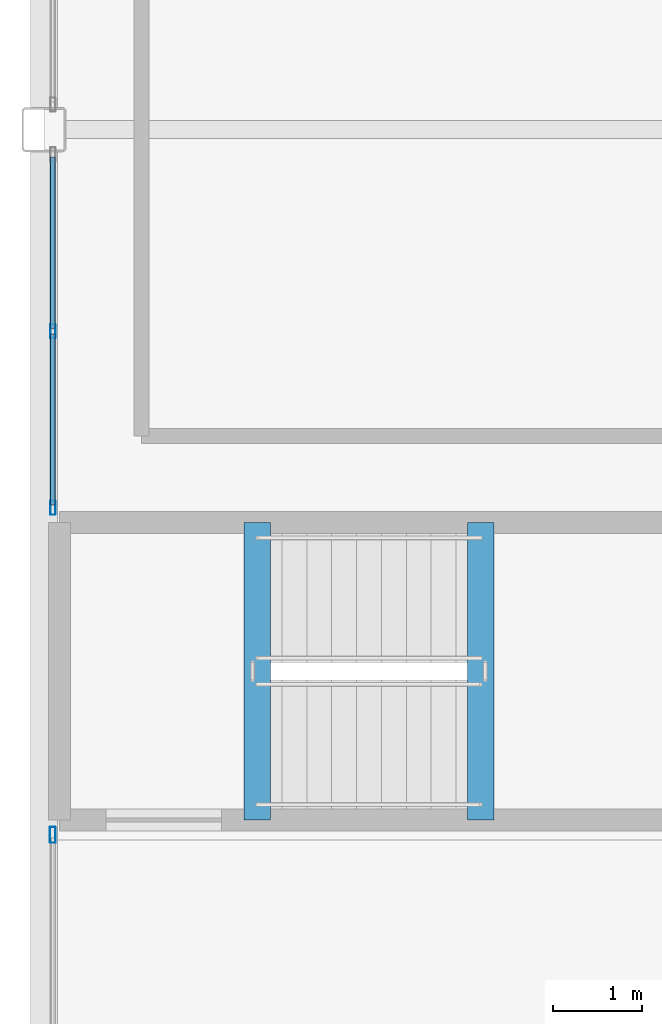
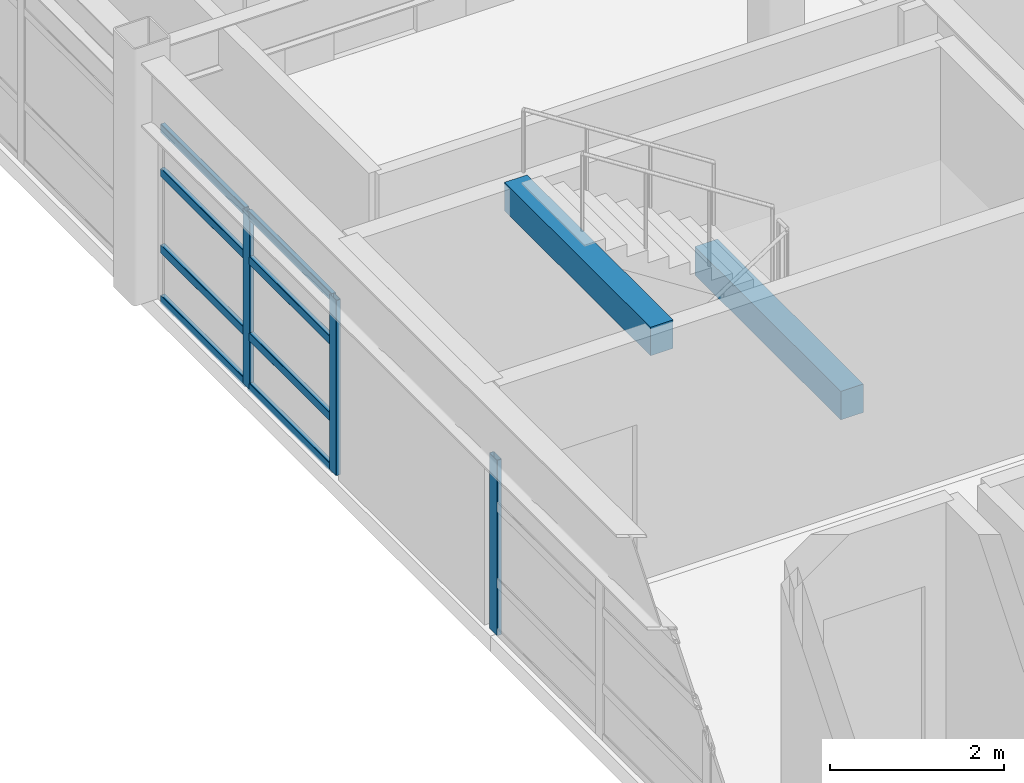
# One storey, part 12 of 33: 11 members, 2 beams, 2 elements without a shape of their own.
"""IFC4 building model written with IfcOpenShell, lengths in metres."""

from ifc_helpers import new_model, si_unit, direction, frame, origin, origin_2d, place, context, subcontext, project, spatial, rectangle, hollow_rectangle, extrude, material, layer, layer_set, material_profile, profile_set, type_object, element, aggregate, save


model = new_model("IFC4")

# Units and contexts
model_context = context("Model", 3, precision=1e-05, world=origin(), true_north=direction((0.0, 1.0)))
body_context = subcontext(model_context, "Body", "Model", "MODEL_VIEW")
ifc_project = project(units=[si_unit("LENGTHUNIT", "METRE"), si_unit("AREAUNIT", "SQUARE_METRE"), si_unit("VOLUMEUNIT", "CUBIC_METRE"), si_unit("PLANEANGLEUNIT", "RADIAN"), si_unit("MASSUNIT", "GRAM", prefix="KILO")], contexts=[model_context])

# Site, building, storey
site_placement = place(None, origin())
site = spatial("IfcSite", under=ifc_project, at=site_placement, CompositionType="ELEMENT")
building_placement = place(site_placement, origin())
building = spatial("IfcBuilding", under=site, at=building_placement, Name="Kazehara Bluff Congress Hotel", CompositionType="ELEMENT")
storey_placement = place(building_placement, frame((0.0, 0.0, 39.0)))
storey = spatial("IfcBuildingStorey", under=building, at=storey_placement, Name="L09", CompositionType="ELEMENT", Elevation=39.0)

# Curtain wall, members
ifc_material_1 = material(Name="Anodised aluminium", Category="aluminium")
ifc_layer_1 = layer(ifc_material_1, 0.159912109375)
ifc_layer_set_1 = layer_set([ifc_layer_1], Name="Anodised aluminium")
curtain_wall_type_1 = type_object("IfcCurtainWallType", Name="TP-CW-191", PredefinedType="NOTDEFINED", material=ifc_layer_set_1)
curtain_wall_1_placement = place(storey_placement, origin())
curtain_wall_1 = element("IfcCurtainWall", 1, at=curtain_wall_1_placement, inside=storey, type_object=curtain_wall_type_1, Name="L09 curtain wall CW-191 CW-ENC-V5-L09-14380-5418", PredefinedType="NOTDEFINED")
ifc_material_2 = material(Name="Anodised aluminium", Category="aluminium")
ifc_material_profile_1 = material_profile(ifc_material_2, hollow_rectangle(XDim=0.06005859375, YDim=0.159912109375, WallThickness=0.00390625, InnerFilletRadius=0.00390625, OuterFilletRadius=0.008056640625, at=origin_2d()))
ifc_profile_set_1 = profile_set([ifc_material_profile_1], Name="Anodised aluminium")
member_type_1 = type_object("IfcMemberType", Name="TP-CWM-01", PredefinedType="MULLION", material=ifc_profile_set_1)
member_1_placement = place(storey_placement, frame((143.800048828125, 52.18994140625, 0.0), z_axis=(0.0, 0.0, 1.0), x_axis=(-1.0, 0.0, 0.0)))
member_1 = element("IfcMember", 2, at=member_1_placement, type_object=member_type_1, Name="CW-191 mullion 1", PredefinedType="MULLION", context=body_context, shape_type="SweptSolid", body=[
    extrude(hollow_rectangle(XDim=0.06005859375, YDim=0.159912109375, WallThickness=0.00390625, InnerFilletRadius=0.00390625, OuterFilletRadius=0.008056640625, at=origin_2d()), origin(), (0.0, 0.0, 1.0), 2.455078125),
])
member_2_placement = place(storey_placement, frame((143.800048828125, 54.179931640625, 0.0), z_axis=(0.0, 0.0, 1.0), x_axis=(-1.0, 0.0, 0.0)))
member_2 = element("IfcMember", 3, at=member_2_placement, type_object=member_type_1, Name="CW-191 mullion 2", PredefinedType="MULLION", context=body_context, shape_type="SweptSolid", body=[
    extrude(hollow_rectangle(XDim=0.06005859375, YDim=0.159912109375, WallThickness=0.00390625, InnerFilletRadius=0.00390625, OuterFilletRadius=0.008056640625, at=origin_2d()), origin(), (0.0, 0.0, 1.0), 2.455078125),
])

# Curtain wall, member
ifc_material_3 = material(Name="Anodised aluminium", Category="aluminium")
ifc_layer_2 = layer(ifc_material_3, 0.159912109375)
ifc_layer_set_2 = layer_set([ifc_layer_2], Name="Anodised aluminium")
curtain_wall_type_2 = type_object("IfcCurtainWallType", Name="TP-CW-190", PredefinedType="NOTDEFINED", material=ifc_layer_set_2)
curtain_wall_2_placement = place(storey_placement, origin())
curtain_wall_2 = element("IfcCurtainWall", 4, at=curtain_wall_2_placement, inside=storey, type_object=curtain_wall_type_2, Name="L09 curtain wall CW-190 CW-ENC-V5-L09-14380-4484", PredefinedType="NOTDEFINED")
ifc_material_4 = material(Name="Anodised aluminium", Category="aluminium")
ifc_material_profile_2 = material_profile(ifc_material_4, hollow_rectangle(XDim=0.06494140625, YDim=0.179931640625, WallThickness=0.00390625, InnerFilletRadius=0.00390625, OuterFilletRadius=0.008056640625, at=origin_2d()))
ifc_profile_set_2 = profile_set([ifc_material_profile_2], Name="Anodised aluminium")
member_type_2 = type_object("IfcMemberType", Name="TP-CWM-02", PredefinedType="MULLION", material=ifc_profile_set_2)
member_3_placement = place(storey_placement, frame((143.800048828125, 48.507568359375, 0.0), z_axis=(0.0, 0.0, 1.0), x_axis=(-1.0, 0.0, 0.0)))
member_3 = element("IfcMember", 5, at=member_3_placement, type_object=member_type_2, Name="CW-190 mullion 4", PredefinedType="MULLION", context=body_context, shape_type="SweptSolid", body=[
    extrude(hollow_rectangle(XDim=0.06494140625, YDim=0.179931640625, WallThickness=0.00390625, InnerFilletRadius=0.00390625, OuterFilletRadius=0.008056640625, at=origin_2d()), origin(), (0.0, 0.0, 1.0), 2.455078125),
])
aggregate(curtain_wall_2, [member_3])

# Member
ifc_material_5 = material(Name="Anodised aluminium", Category="aluminium")
ifc_material_profile_3 = material_profile(ifc_material_5, hollow_rectangle(XDim=0.06005859375, YDim=0.1201171875, WallThickness=0.00390625, InnerFilletRadius=0.00390625, OuterFilletRadius=0.008056640625, at=origin_2d()))
ifc_profile_set_3 = profile_set([ifc_material_profile_3], Name="Anodised aluminium")
member_type_3 = type_object("IfcMemberType", Name="TP-CWT-01", PredefinedType="USERDEFINED", material=ifc_profile_set_3)
member_4_placement = place(storey_placement, frame((143.800048828125, 52.219970703125, 0.030029296875), z_axis=(0.0, 1.0, 0.0), x_axis=(-1.0, 0.0, 0.0)))
member_4 = element("IfcMember", 6, at=member_4_placement, type_object=member_type_3, Name="CW-191 transom 1.1", ObjectType="TRANSOM", PredefinedType="USERDEFINED", context=body_context, shape_type="SweptSolid", body=[
    extrude(hollow_rectangle(XDim=0.06005859375, YDim=0.1201171875, WallThickness=0.00390625, InnerFilletRadius=0.00390625, OuterFilletRadius=0.008056640625, at=origin_2d()), origin(), (0.0, 0.0, 1.0), 1.929931640625),
])

member_5_placement = place(storey_placement, frame((143.800048828125, 52.219970703125, 0.735107421875), z_axis=(0.0, 1.0, 0.0), x_axis=(-1.0, 0.0, 0.0)))
member_5 = element("IfcMember", 7, at=member_5_placement, type_object=member_type_3, Name="CW-191 transom 1.2", ObjectType="TRANSOM", PredefinedType="USERDEFINED", context=body_context, shape_type="SweptSolid", body=[
    extrude(hollow_rectangle(XDim=0.06005859375, YDim=0.1201171875, WallThickness=0.00390625, InnerFilletRadius=0.00390625, OuterFilletRadius=0.008056640625, at=origin_2d()), origin(), (0.0, 0.0, 1.0), 1.929931640625),
])

member_6_placement = place(storey_placement, frame((143.800048828125, 52.219970703125, 1.804931640625), z_axis=(0.0, 1.0, 0.0), x_axis=(-1.0, 0.0, 0.0)))
member_6 = element("IfcMember", 8, at=member_6_placement, type_object=member_type_3, Name="CW-191 transom 1.3", ObjectType="TRANSOM", PredefinedType="USERDEFINED", context=body_context, shape_type="SweptSolid", body=[
    extrude(hollow_rectangle(XDim=0.06005859375, YDim=0.1201171875, WallThickness=0.00390625, InnerFilletRadius=0.00390625, OuterFilletRadius=0.008056640625, at=origin_2d()), origin(), (0.0, 0.0, 1.0), 1.929931640625),
])

member_7_placement = place(storey_placement, frame((143.800048828125, 52.219970703125, 2.425048828125), z_axis=(0.0, 1.0, 0.0), x_axis=(-1.0, 0.0, 0.0)))
member_7 = element("IfcMember", 9, at=member_7_placement, type_object=member_type_3, Name="CW-191 transom 1.4", ObjectType="TRANSOM", PredefinedType="USERDEFINED", context=body_context, shape_type="SweptSolid", body=[
    extrude(hollow_rectangle(XDim=0.06005859375, YDim=0.1201171875, WallThickness=0.00390625, InnerFilletRadius=0.00390625, OuterFilletRadius=0.008056640625, at=origin_2d()), origin(), (0.0, 0.0, 1.0), 1.929931640625),
])

member_8_placement = place(storey_placement, frame((143.800048828125, 54.2099609375, 0.030029296875), z_axis=(0.0, 1.0, 0.0), x_axis=(-1.0, 0.0, 0.0)))
member_8 = element("IfcMember", 10, at=member_8_placement, type_object=member_type_3, Name="CW-191 transom 2.1", ObjectType="TRANSOM", PredefinedType="USERDEFINED", context=body_context, shape_type="SweptSolid", body=[
    extrude(hollow_rectangle(XDim=0.06005859375, YDim=0.1201171875, WallThickness=0.00390625, InnerFilletRadius=0.00390625, OuterFilletRadius=0.008056640625, at=origin_2d()), origin(), (0.0, 0.0, 1.0), 1.929931640625),
])

member_9_placement = place(storey_placement, frame((143.800048828125, 54.2099609375, 0.735107421875), z_axis=(0.0, 1.0, 0.0), x_axis=(-1.0, 0.0, 0.0)))
member_9 = element("IfcMember", 11, at=member_9_placement, type_object=member_type_3, Name="CW-191 transom 2.2", ObjectType="TRANSOM", PredefinedType="USERDEFINED", context=body_context, shape_type="SweptSolid", body=[
    extrude(hollow_rectangle(XDim=0.06005859375, YDim=0.1201171875, WallThickness=0.00390625, InnerFilletRadius=0.00390625, OuterFilletRadius=0.008056640625, at=origin_2d()), origin(), (0.0, 0.0, 1.0), 1.929931640625),
])

member_10_placement = place(storey_placement, frame((143.800048828125, 54.2099609375, 1.804931640625), z_axis=(0.0, 1.0, 0.0), x_axis=(-1.0, 0.0, 0.0)))
member_10 = element("IfcMember", 12, at=member_10_placement, type_object=member_type_3, Name="CW-191 transom 2.3", ObjectType="TRANSOM", PredefinedType="USERDEFINED", context=body_context, shape_type="SweptSolid", body=[
    extrude(hollow_rectangle(XDim=0.06005859375, YDim=0.1201171875, WallThickness=0.00390625, InnerFilletRadius=0.00390625, OuterFilletRadius=0.008056640625, at=origin_2d()), origin(), (0.0, 0.0, 1.0), 1.929931640625),
])

member_11_placement = place(storey_placement, frame((143.800048828125, 54.2099609375, 2.425048828125), z_axis=(0.0, 1.0, 0.0), x_axis=(-1.0, 0.0, 0.0)))
member_11 = element("IfcMember", 13, at=member_11_placement, type_object=member_type_3, Name="CW-191 transom 2.4", ObjectType="TRANSOM", PredefinedType="USERDEFINED", context=body_context, shape_type="SweptSolid", body=[
    extrude(hollow_rectangle(XDim=0.06005859375, YDim=0.1201171875, WallThickness=0.00390625, InnerFilletRadius=0.00390625, OuterFilletRadius=0.008056640625, at=origin_2d()), origin(), (0.0, 0.0, 1.0), 1.929931640625),
])

aggregate(curtain_wall_1, [member_1, member_2, member_4, member_5, member_6, member_7, member_8, member_9, member_10, member_11])

# Beams
ifc_material_6 = material(Name="Concrete C40/50", Category="concrete")
ifc_material_profile_4 = material_profile(ifc_material_6, rectangle(XDim=0.300048828125, YDim=0.39990234375, at=origin_2d()))
ifc_profile_set_4 = profile_set([ifc_material_profile_4], Name="Concrete C40/50")
beam_type = type_object("IfcBeamType", Name="TP-LN-02", PredefinedType="LINTEL", material=ifc_profile_set_4)
for number, where, z_axis, x_axis, name in (
    (14, (148.6201171875, 48.675048828125, 1.419921875), (0.0, 1.0, 0.0), (-1.0, 0.0, 0.0), "L09 ST-11 half-landing support beam 1"),
    (15, (146.10009765625, 48.675048828125, 3.199951171875), (0.0, 1.0, 0.0), (-1.0, 0.0, 0.0), "L10 ST-11 stairwell trimmer beam"),
):
    element("IfcBeam", number, at=place(storey_placement, frame(where, z_axis=z_axis, x_axis=x_axis)), inside=storey, type_object=beam_type, Name=name, PredefinedType="LINTEL", context=body_context, shape_type="SweptSolid", body=[
        extrude(rectangle(XDim=0.300048828125, YDim=0.39990234375, at=origin_2d()), origin(), (0.0, 0.0, 1.0), 3.349853515625),
    ])

save(model, "model.ifc")
